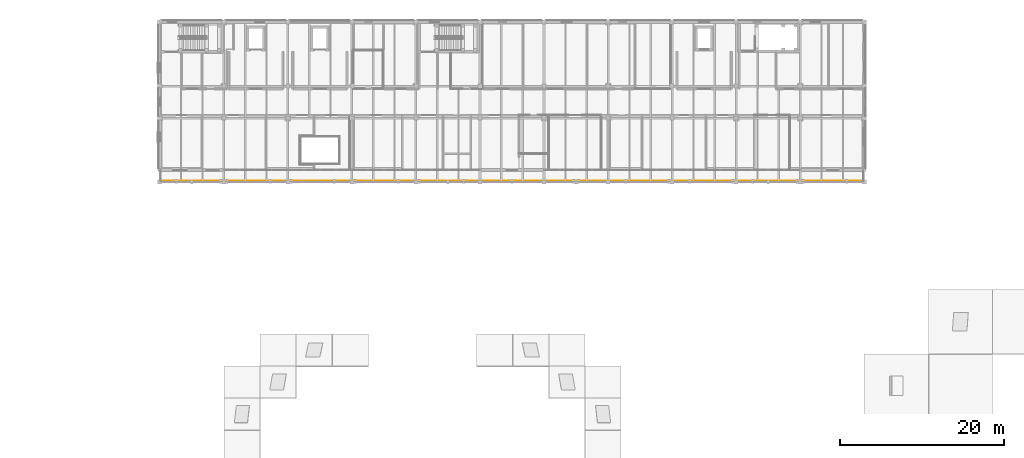
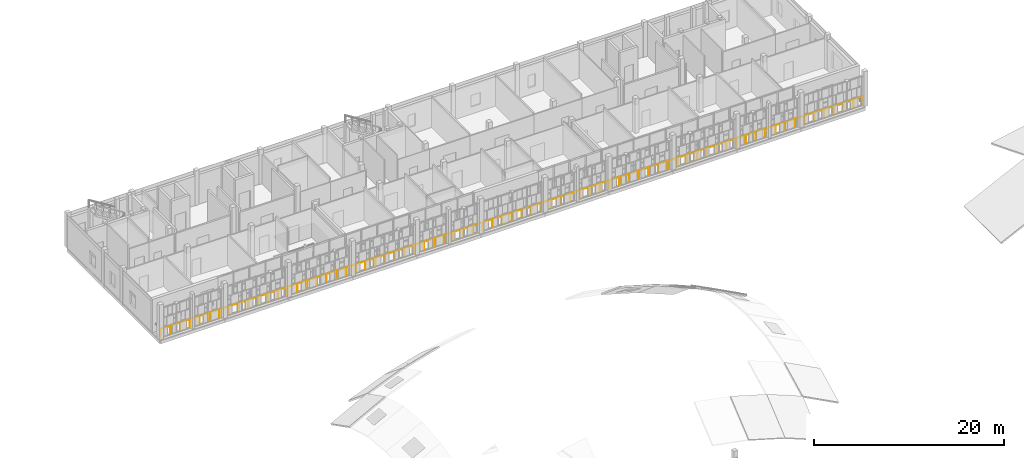
# One storey, part 85 of 89: 1 railing.
"""IFC4 building model written with IfcOpenShell, lengths in metres."""

from ifc_helpers import new_model, si_unit, direction, frame, origin, origin_2d, place, context, subcontext, project, spatial, circle, extrude, material, type_object, element, save


model = new_model("IFC4")

# Units and contexts
model_context = context("Model", 3, precision=1e-05, world=origin(), true_north=direction((0.0, 1.0)))
body_context = subcontext(model_context, "Body", "Model", "MODEL_VIEW")
ifc_project = project(units=[si_unit("LENGTHUNIT", "METRE"), si_unit("AREAUNIT", "SQUARE_METRE"), si_unit("VOLUMEUNIT", "CUBIC_METRE"), si_unit("PLANEANGLEUNIT", "RADIAN"), si_unit("MASSUNIT", "GRAM", prefix="KILO")], contexts=[model_context])

# Site, building, storey
site_placement = place(None, origin())
site = spatial("IfcSite", under=ifc_project, at=site_placement, CompositionType="ELEMENT")
building_placement = place(site_placement, origin())
building = spatial("IfcBuilding", under=site, at=building_placement, Name="Celorna Specialist Clinic", CompositionType="ELEMENT")
storey_placement = place(building_placement, frame((0.0, 0.0, 14.10009765625)))
storey = spatial("IfcBuildingStorey", under=building, at=storey_placement, Name="L03", CompositionType="ELEMENT", Elevation=14.10009765625)

# Railing
ifc_material = material(Name="Stainless steel and laminated glass balustrade", Category="steel")
railing_type = type_object("IfcRailingType", Name="BL-01", PredefinedType="BALUSTRADE", material=ifc_material)
railing_placement = place(storey_placement, frame((132.47998046875, 96.6201171875, 0.0)))
element("IfcRailing", 1, at=railing_placement, inside=storey, type_object=railing_type, Name="Neurology L03 Cloister Veranda perimeter balustrade 4", PredefinedType="BALUSTRADE", context=body_context, shape_type="SweptSolid", body=[
    extrude(circle(Radius=0.02392578125, at=origin_2d()), frame((0.0, 0.0, 1.09619140625), z_axis=(-1.0, 0.0, 0.0), x_axis=(0.0, -1.0, 0.0)), (0.0, 0.0, 1.0), 85.56005859375),
    extrude(circle(Radius=0.02099609375, at=origin_2d()), origin(), (0.0, 0.0, 1.0), 1.072021484375),
    extrude(circle(Radius=0.02099609375, at=origin_2d()), frame((-1.188232421875, 0.0, 0.0)), (0.0, 0.0, 1.0), 1.072021484375),
    extrude(circle(Radius=0.02099609375, at=origin_2d()), frame((-2.376708984375, 0.0, 0.0)), (0.0, 0.0, 1.0), 1.072021484375),
    extrude(circle(Radius=0.02099609375, at=origin_2d()), frame((-3.56494140625, 0.0, 0.0)), (0.0, 0.0, 1.0), 1.072021484375),
    extrude(circle(Radius=0.02099609375, at=origin_2d()), frame((-4.75341796875, 0.0, 0.0)), (0.0, 0.0, 1.0), 1.072021484375),
    extrude(circle(Radius=0.02099609375, at=origin_2d()), frame((-5.941650390625, 0.0, 0.0)), (0.0, 0.0, 1.0), 1.072021484375),
    extrude(circle(Radius=0.02099609375, at=origin_2d()), frame((-7.1298828125, 0.0, 0.0)), (0.0, 0.0, 1.0), 1.072021484375),
    extrude(circle(Radius=0.02099609375, at=origin_2d()), frame((-8.318359375, 0.0, 0.0)), (0.0, 0.0, 1.0), 1.072021484375),
    extrude(circle(Radius=0.02099609375, at=origin_2d()), frame((-9.506591796875, 0.0, 0.0)), (0.0, 0.0, 1.0), 1.072021484375),
    extrude(circle(Radius=0.02099609375, at=origin_2d()), frame((-10.695068359375, 0.0, 0.0)), (0.0, 0.0, 1.0), 1.072021484375),
    extrude(circle(Radius=0.02099609375, at=origin_2d()), frame((-11.88330078125, 0.0, 0.0)), (0.0, 0.0, 1.0), 1.072021484375),
    extrude(circle(Radius=0.02099609375, at=origin_2d()), frame((-13.07177734375, 0.0, 0.0)), (0.0, 0.0, 1.0), 1.072021484375),
    extrude(circle(Radius=0.02099609375, at=origin_2d()), frame((-14.260009765625, 0.0, 0.0)), (0.0, 0.0, 1.0), 1.072021484375),
    extrude(circle(Radius=0.02099609375, at=origin_2d()), frame((-15.4482421875, 0.0, 0.0)), (0.0, 0.0, 1.0), 1.072021484375),
    extrude(circle(Radius=0.02099609375, at=origin_2d()), frame((-16.63671875, 0.0, 0.0)), (0.0, 0.0, 1.0), 1.072021484375),
    extrude(circle(Radius=0.02099609375, at=origin_2d()), frame((-17.824951171875, 0.0, 0.0)), (0.0, 0.0, 1.0), 1.072021484375),
    extrude(circle(Radius=0.02099609375, at=origin_2d()), frame((-19.013427734375, 0.0, 0.0)), (0.0, 0.0, 1.0), 1.072021484375),
    extrude(circle(Radius=0.02099609375, at=origin_2d()), frame((-20.20166015625, 0.0, 0.0)), (0.0, 0.0, 1.0), 1.072021484375),
    extrude(circle(Radius=0.02099609375, at=origin_2d()), frame((-21.39013671875, 0.0, 0.0)), (0.0, 0.0, 1.0), 1.072021484375),
    extrude(circle(Radius=0.02099609375, at=origin_2d()), frame((-22.578369140625, 0.0, 0.0)), (0.0, 0.0, 1.0), 1.072021484375),
    extrude(circle(Radius=0.02099609375, at=origin_2d()), frame((-23.7666015625, 0.0, 0.0)), (0.0, 0.0, 1.0), 1.072021484375),
    extrude(circle(Radius=0.02099609375, at=origin_2d()), frame((-24.955078125, 0.0, 0.0)), (0.0, 0.0, 1.0), 1.072021484375),
    extrude(circle(Radius=0.02099609375, at=origin_2d()), frame((-26.143310546875, 0.0, 0.0)), (0.0, 0.0, 1.0), 1.072021484375),
    extrude(circle(Radius=0.02099609375, at=origin_2d()), frame((-27.331787109375, 0.0, 0.0)), (0.0, 0.0, 1.0), 1.072021484375),
    extrude(circle(Radius=0.02099609375, at=origin_2d()), frame((-28.52001953125, 0.0, 0.0)), (0.0, 0.0, 1.0), 1.072021484375),
    extrude(circle(Radius=0.02099609375, at=origin_2d()), frame((-29.708251953125, 0.0, 0.0)), (0.0, 0.0, 1.0), 1.072021484375),
    extrude(circle(Radius=0.02099609375, at=origin_2d()), frame((-30.896728515625, 0.0, 0.0)), (0.0, 0.0, 1.0), 1.072021484375),
    extrude(circle(Radius=0.02099609375, at=origin_2d()), frame((-32.0849609375, 0.0, 0.0)), (0.0, 0.0, 1.0), 1.072021484375),
    extrude(circle(Radius=0.02099609375, at=origin_2d()), frame((-33.2734375, 0.0, 0.0)), (0.0, 0.0, 1.0), 1.072021484375),
    extrude(circle(Radius=0.02099609375, at=origin_2d()), frame((-34.461669921875, 0.0, 0.0)), (0.0, 0.0, 1.0), 1.072021484375),
    extrude(circle(Radius=0.02099609375, at=origin_2d()), frame((-35.64990234375, 0.0, 0.0)), (0.0, 0.0, 1.0), 1.072021484375),
    extrude(circle(Radius=0.02099609375, at=origin_2d()), frame((-36.83837890625, 0.0, 0.0)), (0.0, 0.0, 1.0), 1.072021484375),
    extrude(circle(Radius=0.02099609375, at=origin_2d()), frame((-38.026611328125, 0.0, 0.0)), (0.0, 0.0, 1.0), 1.072021484375),
    extrude(circle(Radius=0.02099609375, at=origin_2d()), frame((-39.215087890625, 0.0, 0.0)), (0.0, 0.0, 1.0), 1.072021484375),
    extrude(circle(Radius=0.02099609375, at=origin_2d()), frame((-40.4033203125, 0.0, 0.0)), (0.0, 0.0, 1.0), 1.072021484375),
    extrude(circle(Radius=0.02099609375, at=origin_2d()), frame((-41.591796875, 0.0, 0.0)), (0.0, 0.0, 1.0), 1.072021484375),
    extrude(circle(Radius=0.02099609375, at=origin_2d()), frame((-42.780029296875, 0.0, 0.0)), (0.0, 0.0, 1.0), 1.072021484375),
    extrude(circle(Radius=0.02099609375, at=origin_2d()), frame((-43.96826171875, 0.0, 0.0)), (0.0, 0.0, 1.0), 1.072021484375),
    extrude(circle(Radius=0.02099609375, at=origin_2d()), frame((-45.15673828125, 0.0, 0.0)), (0.0, 0.0, 1.0), 1.072021484375),
    extrude(circle(Radius=0.02099609375, at=origin_2d()), frame((-46.344970703125, 0.0, 0.0)), (0.0, 0.0, 1.0), 1.072021484375),
    extrude(circle(Radius=0.02099609375, at=origin_2d()), frame((-47.533447265625, 0.0, 0.0)), (0.0, 0.0, 1.0), 1.072021484375),
    extrude(circle(Radius=0.02099609375, at=origin_2d()), frame((-48.7216796875, 0.0, 0.0)), (0.0, 0.0, 1.0), 1.072021484375),
    extrude(circle(Radius=0.02099609375, at=origin_2d()), frame((-49.91015625, 0.0, 0.0)), (0.0, 0.0, 1.0), 1.072021484375),
    extrude(circle(Radius=0.02099609375, at=origin_2d()), frame((-51.098388671875, 0.0, 0.0)), (0.0, 0.0, 1.0), 1.072021484375),
    extrude(circle(Radius=0.02099609375, at=origin_2d()), frame((-52.28662109375, 0.0, 0.0)), (0.0, 0.0, 1.0), 1.072021484375),
    extrude(circle(Radius=0.02099609375, at=origin_2d()), frame((-53.47509765625, 0.0, 0.0)), (0.0, 0.0, 1.0), 1.072021484375),
    extrude(circle(Radius=0.02099609375, at=origin_2d()), frame((-54.663330078125, 0.0, 0.0)), (0.0, 0.0, 1.0), 1.072021484375),
    extrude(circle(Radius=0.02099609375, at=origin_2d()), frame((-55.851806640625, 0.0, 0.0)), (0.0, 0.0, 1.0), 1.072021484375),
    extrude(circle(Radius=0.02099609375, at=origin_2d()), frame((-57.0400390625, 0.0, 0.0)), (0.0, 0.0, 1.0), 1.072021484375),
    extrude(circle(Radius=0.02099609375, at=origin_2d()), frame((-58.228271484375, 0.0, 0.0)), (0.0, 0.0, 1.0), 1.072021484375),
    extrude(circle(Radius=0.02099609375, at=origin_2d()), frame((-59.416748046875, 0.0, 0.0)), (0.0, 0.0, 1.0), 1.072021484375),
    extrude(circle(Radius=0.02099609375, at=origin_2d()), frame((-60.60498046875, 0.0, 0.0)), (0.0, 0.0, 1.0), 1.072021484375),
    extrude(circle(Radius=0.02099609375, at=origin_2d()), frame((-61.79345703125, 0.0, 0.0)), (0.0, 0.0, 1.0), 1.072021484375),
    extrude(circle(Radius=0.02099609375, at=origin_2d()), frame((-62.981689453125, 0.0, 0.0)), (0.0, 0.0, 1.0), 1.072021484375),
    extrude(circle(Radius=0.02099609375, at=origin_2d()), frame((-64.169921875, 0.0, 0.0)), (0.0, 0.0, 1.0), 1.072021484375),
    extrude(circle(Radius=0.02099609375, at=origin_2d()), frame((-65.3583984375, 0.0, 0.0)), (0.0, 0.0, 1.0), 1.072021484375),
    extrude(circle(Radius=0.02099609375, at=origin_2d()), frame((-66.546630859375, 0.0, 0.0)), (0.0, 0.0, 1.0), 1.072021484375),
    extrude(circle(Radius=0.02099609375, at=origin_2d()), frame((-67.735107421875, 0.0, 0.0)), (0.0, 0.0, 1.0), 1.072021484375),
    extrude(circle(Radius=0.02099609375, at=origin_2d()), frame((-68.92333984375, 0.0, 0.0)), (0.0, 0.0, 1.0), 1.072021484375),
    extrude(circle(Radius=0.02099609375, at=origin_2d()), frame((-70.11181640625, 0.0, 0.0)), (0.0, 0.0, 1.0), 1.072021484375),
    extrude(circle(Radius=0.02099609375, at=origin_2d()), frame((-71.300048828125, 0.0, 0.0)), (0.0, 0.0, 1.0), 1.072021484375),
    extrude(circle(Radius=0.02099609375, at=origin_2d()), frame((-72.48828125, 0.0, 0.0)), (0.0, 0.0, 1.0), 1.072021484375),
    extrude(circle(Radius=0.02099609375, at=origin_2d()), frame((-73.6767578125, 0.0, 0.0)), (0.0, 0.0, 1.0), 1.072021484375),
    extrude(circle(Radius=0.02099609375, at=origin_2d()), frame((-74.864990234375, 0.0, 0.0)), (0.0, 0.0, 1.0), 1.072021484375),
    extrude(circle(Radius=0.02099609375, at=origin_2d()), frame((-76.053466796875, 0.0, 0.0)), (0.0, 0.0, 1.0), 1.072021484375),
    extrude(circle(Radius=0.02099609375, at=origin_2d()), frame((-77.24169921875, 0.0, 0.0)), (0.0, 0.0, 1.0), 1.072021484375),
    extrude(circle(Radius=0.02099609375, at=origin_2d()), frame((-78.43017578125, 0.0, 0.0)), (0.0, 0.0, 1.0), 1.072021484375),
    extrude(circle(Radius=0.02099609375, at=origin_2d()), frame((-79.618408203125, 0.0, 0.0)), (0.0, 0.0, 1.0), 1.072021484375),
    extrude(circle(Radius=0.02099609375, at=origin_2d()), frame((-80.806640625, 0.0, 0.0)), (0.0, 0.0, 1.0), 1.072021484375),
    extrude(circle(Radius=0.02099609375, at=origin_2d()), frame((-81.9951171875, 0.0, 0.0)), (0.0, 0.0, 1.0), 1.072021484375),
    extrude(circle(Radius=0.02099609375, at=origin_2d()), frame((-83.183349609375, 0.0, 0.0)), (0.0, 0.0, 1.0), 1.072021484375),
    extrude(circle(Radius=0.02099609375, at=origin_2d()), frame((-84.371826171875, 0.0, 0.0)), (0.0, 0.0, 1.0), 1.072021484375),
    extrude(circle(Radius=0.02099609375, at=origin_2d()), frame((-85.56005859375, 0.0, 0.0)), (0.0, 0.0, 1.0), 1.072021484375),
])

save(model, "model.ifc")
